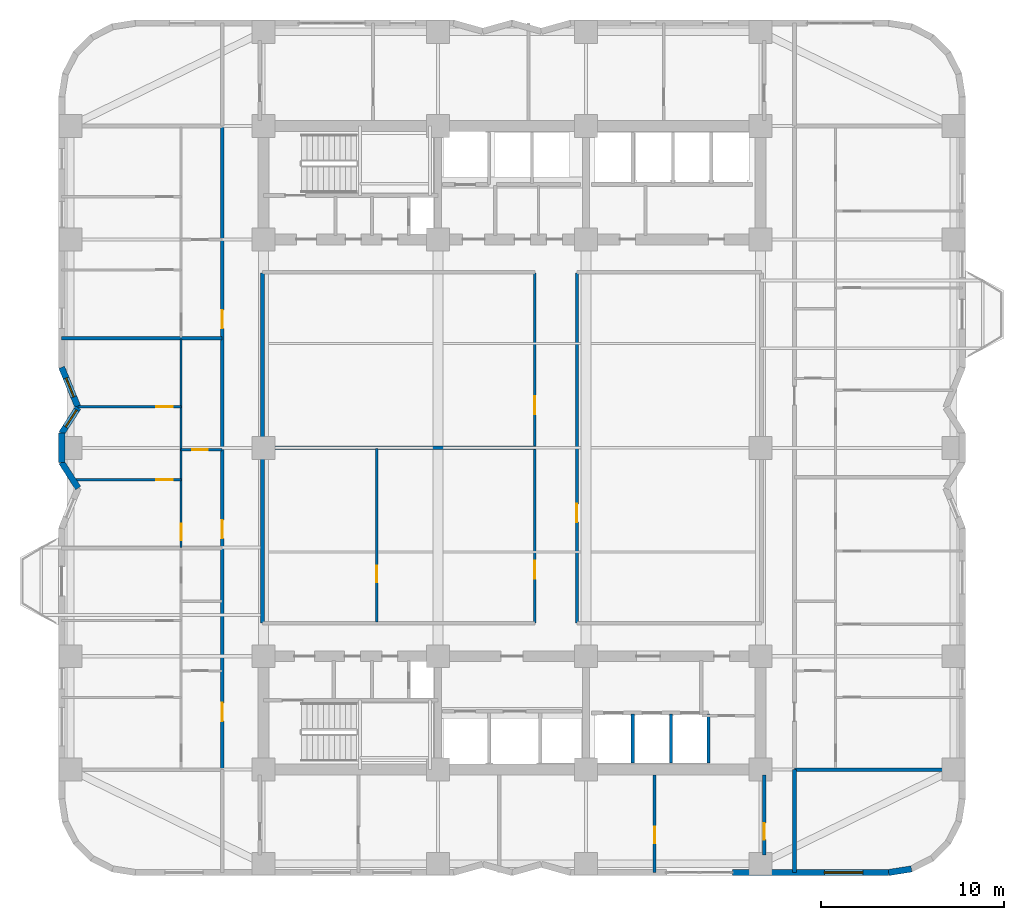
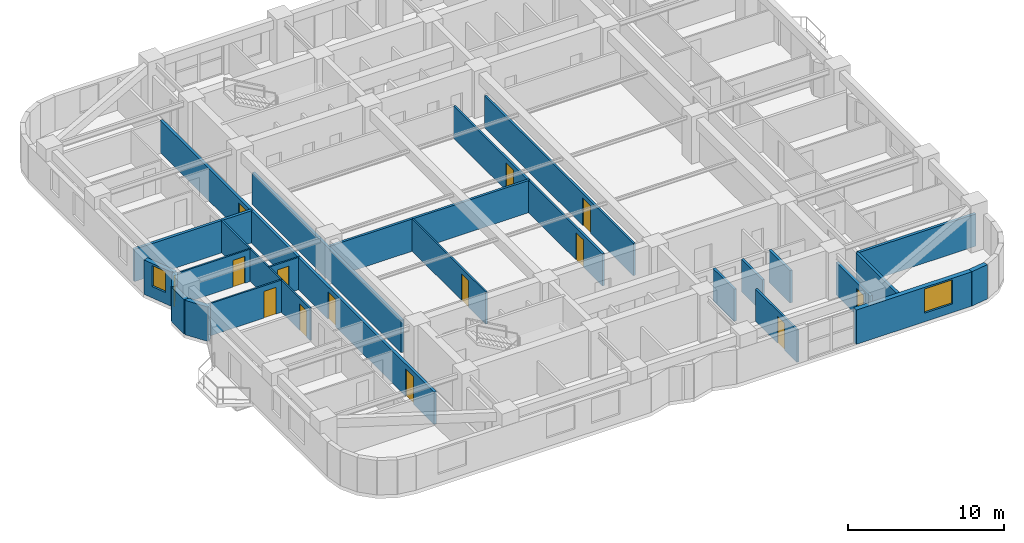
# One storey, part 7 of 13: 24 walls, 13 doors, 3 windows, 16 openings.
"""IFC4 building model written with IfcOpenShell, lengths in metres."""

from ifc_helpers import new_model, si_unit, direction, frame, frame_2d, origin, place, context, subcontext, project, spatial, rectangle, extrude, material, layer, layer_set, type_object, element, fill, save


model = new_model("IFC4")

# Units and contexts
model_context = context("Model", 3, precision=1e-05, world=origin(), true_north=direction((0.0, 1.0)))
body_context = subcontext(model_context, "Body", "Model", "MODEL_VIEW")
ifc_project = project(units=[si_unit("LENGTHUNIT", "METRE"), si_unit("AREAUNIT", "SQUARE_METRE"), si_unit("VOLUMEUNIT", "CUBIC_METRE"), si_unit("PLANEANGLEUNIT", "RADIAN"), si_unit("MASSUNIT", "GRAM", prefix="KILO")], contexts=[model_context])

# Site, building, storey
site_placement = place(None, origin())
site = spatial("IfcSite", under=ifc_project, at=site_placement, CompositionType="ELEMENT")
building_placement = place(site_placement, origin())
building = spatial("IfcBuilding", under=site, at=building_placement, Name="Svetorya Sky Lyceum", CompositionType="ELEMENT")
storey_placement = place(building_placement, frame((0.0, 0.0, 39.89990234375)))
storey = spatial("IfcBuildingStorey", under=building, at=storey_placement, Name="L09", CompositionType="ELEMENT", Elevation=39.89990234375)

# Wall, opening, window
ifc_material_1 = material(Name="Putilovo limestone rainscreen on autoclaved cellular masonry", Category="masonry")
ifc_layer_1 = layer(ifc_material_1, 0.340087890625)
ifc_layer_set_1 = layer_set([ifc_layer_1], Name="Putilovo limestone rainscreen on autoclaved cellular masonry")
wall_type_1 = type_object("IfcWallType", Name="WL-EXT-340", PredefinedType="SOLIDWALL", material=ifc_layer_set_1)
wall_1_placement = place(storey_placement, frame((51.25, 4.969970703125, 0.0), z_axis=(0.0, 0.0, 1.0), x_axis=(1.0, 0.0, 0.0)))
wall_1 = element("IfcWall", 1, at=wall_1_placement, inside=storey, type_object=wall_type_1, Name="L09 Limestone Exterior Wall 11B", PredefinedType="SOLIDWALL", context=body_context, shape_type="SweptSolid", body=[
    extrude(rectangle(XDim=8.550048828125, YDim=0.340087890625, at=frame_2d((4.27490234375, 0.0))), origin(), (0.0, 0.0, 1.0), 2.7001953125),
])
opening_1_placement = place(wall_1_placement, frame((5.03759765625, 0.0, 0.679931640625)))
opening_1 = element("IfcOpeningElement", 2, at=opening_1_placement, cuts=wall_1, Name="Opening W-R0", PredefinedType="OPENING", context=body_context, shape_type="SweptSolid", body=[
    extrude(rectangle(XDim=2.10009765625, YDim=1.89990234375, at=frame_2d((1.050048828125, 0.949951171875))), frame((0.0, 0.179931640625, 0.0), z_axis=(0.0, -1.0, 0.0), x_axis=(1.0, 0.0, 0.0)), (0.0, 0.0, 1.0), 0.360107421875),
])
ifc_material_2 = material(Name="Thermally broken aluminium frame with triple low-E glazing", Category="aluminium")
window_type_1 = type_object("IfcWindowType", Name="WN-RES-210", PartitioningType="TRIPLE_PANEL_VERTICAL", PredefinedType="WINDOW", material=ifc_material_2)
window_1_placement = place(opening_1_placement, origin())
window_1 = element("IfcWindow", 3, at=window_1_placement, inside=storey, type_object=window_type_1, Name="L09 Facade Window W-R0.11B.1", OverallHeight=1.89990234375, OverallWidth=2.10009765625, PartitioningType="SINGLE_PANEL", PredefinedType="WINDOW", context=body_context, shape_type="SweptSolid", body=[
    extrude(rectangle(XDim=2.10009765625, YDim=1.89990234375, at=frame_2d((1.050048828125, 0.949951171875))), frame((0.0, 0.030029296875, 0.0), z_axis=(0.0, -1.0, 0.0), x_axis=(1.0, 0.0, 0.0)), (0.0, 0.0, 1.0), 0.06005859375),
])
fill(opening_1, window_1)

# Wall
wall_2_placement = place(storey_placement, frame((59.800048828125, 4.969970703125, 0.0), z_axis=(0.0, 0.0, 1.0), x_axis=(0.987685918112, 0.15644975923, 0.0)))
element("IfcWall", 4, at=wall_2_placement, inside=storey, type_object=wall_type_1, Name="L09 Limestone Exterior Wall 12M", PredefinedType="SOLIDWALL", context=body_context, shape_type="SweptSolid", body=[
    extrude(rectangle(XDim=1.260986328125, YDim=0.340087890625, at=frame_2d((0.63037109375, 0.0))), origin(), (0.0, 0.0, 1.0), 2.7001953125),
])

# Wall, opening, window
wall_3_placement = place(storey_placement, frame((14.570068359375, 32.60009765625, 0.0), z_axis=(0.0, 0.0, 1.0), x_axis=(0.378568858991, -0.925573130013, 0.0)))
wall_3 = element("IfcWall", 5, at=wall_3_placement, inside=storey, type_object=wall_type_1, Name="L09 Limestone Exterior Wall 41M", PredefinedType="SOLIDWALL", context=body_context, shape_type="SweptSolid", body=[
    extrude(rectangle(XDim=2.377197265625, YDim=0.340087890625, at=frame_2d((1.1884765625, 0.0))), origin(), (0.0, 0.0, 1.0), 2.7001953125),
])
opening_2_placement = place(wall_3_placement, frame((0.638427734375, 0.0, 0.889892578125)))
opening_2 = element("IfcOpeningElement", 6, at=opening_2_placement, cuts=wall_3, Name="Opening W-R3", PredefinedType="OPENING", context=body_context, shape_type="SweptSolid", body=[
    extrude(rectangle(XDim=1.10009765625, YDim=1.64990234375, at=frame_2d((0.550048828125, 0.824951171875))), frame((0.0, 0.179931640625, 0.0), z_axis=(0.0, -1.0, 0.0), x_axis=(1.0, 0.0, 0.0)), (0.0, 0.0, 1.0), 0.360107421875),
])
window_type_2 = type_object("IfcWindowType", Name="WN-RES-110", PartitioningType="SINGLE_PANEL", PredefinedType="WINDOW", material=ifc_material_2)
window_2_placement = place(opening_2_placement, origin())
window_2 = element("IfcWindow", 7, at=window_2_placement, inside=storey, type_object=window_type_2, Name="L09 Facade Window W-R3.41M.1", OverallHeight=1.64990234375, OverallWidth=1.10009765625, PartitioningType="SINGLE_PANEL", PredefinedType="WINDOW", context=body_context, shape_type="SweptSolid", body=[
    extrude(rectangle(XDim=1.10009765625, YDim=1.64990234375, at=frame_2d((0.550048828125, 0.824951171875))), frame((0.0, 0.030029296875, 0.0), z_axis=(0.0, -1.0, 0.0), x_axis=(1.0, 0.0, 0.0)), (0.0, 0.0, 1.0), 0.06005859375),
])
fill(opening_2, window_2)

wall_4_placement = place(storey_placement, frame((15.469970703125, 30.39990234375, 0.0), z_axis=(0.0, 0.0, 1.0), x_axis=(-0.540742762169, -0.841188008214, 0.0)))
wall_4 = element("IfcWall", 8, at=wall_4_placement, inside=storey, type_object=wall_type_1, Name="L09 Limestone Exterior Wall 42M", PredefinedType="SOLIDWALL", context=body_context, shape_type="SweptSolid", body=[
    extrude(rectangle(XDim=1.664306640625, YDim=0.340087890625, at=frame_2d((0.83203125, 0.0))), origin(), (0.0, 0.0, 1.0), 2.7001953125),
])
opening_3_placement = place(wall_4_placement, frame((0.159912109375, 0.0, 0.889892578125)))
opening_3 = element("IfcOpeningElement", 9, at=opening_3_placement, cuts=wall_4, Name="Opening W-R3", PredefinedType="OPENING", context=body_context, shape_type="SweptSolid", body=[
    extrude(rectangle(XDim=1.10009765625, YDim=1.64990234375, at=frame_2d((0.550048828125, 0.824951171875))), frame((0.0, 0.179931640625, 0.0), z_axis=(0.0, -1.0, 0.0), x_axis=(1.0, 0.0, 0.0)), (0.0, 0.0, 1.0), 0.360107421875),
])
window_3_placement = place(opening_3_placement, origin())
window_3 = element("IfcWindow", 10, at=window_3_placement, inside=storey, type_object=window_type_2, Name="L09 Facade Window W-R3.42M.1", OverallHeight=1.64990234375, OverallWidth=1.10009765625, PartitioningType="SINGLE_PANEL", PredefinedType="WINDOW", context=body_context, shape_type="SweptSolid", body=[
    extrude(rectangle(XDim=1.10009765625, YDim=1.64990234375, at=frame_2d((0.550048828125, 0.824951171875))), frame((0.0, 0.030029296875, 0.0), z_axis=(0.0, -1.0, 0.0), x_axis=(1.0, 0.0, 0.0)), (0.0, 0.0, 1.0), 0.06005859375),
])
fill(opening_3, window_3)

# Walls
wall_5_placement = place(storey_placement, frame((14.570068359375, 29.0, 0.0), z_axis=(0.0, 0.0, 1.0), x_axis=(0.0, -1.0, 0.0)))
element("IfcWall", 11, at=wall_5_placement, inside=storey, type_object=wall_type_1, Name="L09 Limestone Exterior Wall 43M", PredefinedType="SOLIDWALL", context=body_context, shape_type="SweptSolid", body=[
    extrude(rectangle(XDim=1.60009765625, YDim=0.340087890625, at=frame_2d((0.800048828125, 0.0))), origin(), (0.0, 0.0, 1.0), 2.7001953125),
])
wall_6_placement = place(storey_placement, frame((14.570068359375, 27.39990234375, 0.0), z_axis=(0.0, 0.0, 1.0), x_axis=(0.540742762169, -0.841188008214, 0.0)))
element("IfcWall", 12, at=wall_6_placement, inside=storey, type_object=wall_type_1, Name="L09 Limestone Exterior Wall 44M", PredefinedType="SOLIDWALL", context=body_context, shape_type="SweptSolid", body=[
    extrude(rectangle(XDim=1.664306640625, YDim=0.340087890625, at=frame_2d((0.83203125, 0.0))), origin(), (0.0, 0.0, 1.0), 2.7001953125),
])

# Wall, opening, door
ifc_material_3 = material(Name="Twin-stud galvanized framing with double fireboard", Category="gypsum")
ifc_layer_2 = layer(ifc_material_3, 0.1201171875)
ifc_layer_set_2 = layer_set([ifc_layer_2], Name="Twin-stud galvanized framing with double fireboard")
wall_type_2 = type_object("IfcWallType", Name="WL-PART-120", PredefinedType="PARTITIONING", material=ifc_layer_set_2)
wall_7_placement = place(storey_placement, frame((31.800048828125, 18.659912109375, 0.0), z_axis=(0.0, 0.0, 1.0), x_axis=(0.0, 1.0, 0.0)))
wall_7 = element("IfcWall", 13, at=wall_7_placement, inside=storey, type_object=wall_type_2, Name="L09 Interior Partition CEN-WV1", PredefinedType="PARTITIONING", context=body_context, shape_type="SweptSolid", body=[
    extrude(rectangle(XDim=9.489990234375, YDim=0.1201171875, at=frame_2d((4.7451171875, 0.0))), origin(), (0.0, 0.0, 1.0), 2.530029296875),
])
opening_4_placement = place(wall_7_placement, frame((2.199951171875, 0.0, 0.0)))
opening_4 = element("IfcOpeningElement", 14, at=opening_4_placement, cuts=wall_7, Name="Opening D-RM1", PredefinedType="OPENING", context=body_context, shape_type="SweptSolid", body=[
    extrude(rectangle(XDim=0.89990234375, YDim=2.10009765625, at=frame_2d((0.449951171875, 1.050048828125))), frame((0.0, 0.070068359375, 0.0), z_axis=(0.0, -1.0, 0.0), x_axis=(1.0, 0.0, 0.0)), (0.0, 0.0, 1.0), 0.14013671875),
])
ifc_material_4 = material(Name="Lacquered birch veneer internal door")
door_type_1 = type_object("IfcDoorType", Name="DR-INT-900", OperationType="SINGLE_SWING_LEFT", PredefinedType="DOOR", material=ifc_material_4)
door_1_placement = place(opening_4_placement, origin())
door_1 = element("IfcDoor", 15, at=door_1_placement, inside=storey, type_object=door_type_1, Name="L09 Quiet Study Door", OperationType="SINGLE_SWING_LEFT", OverallHeight=2.10009765625, OverallWidth=0.89990234375, PredefinedType="DOOR", context=body_context, shape_type="SweptSolid", body=[
    extrude(rectangle(XDim=0.89990234375, YDim=2.10009765625, at=frame_2d((0.449951171875, 1.050048828125))), frame((0.0, 0.02490234375, 0.0), z_axis=(0.0, -1.0, 0.0), x_axis=(1.0, 0.0, 0.0)), (0.0, 0.0, 1.0), 0.050048828125),
])
fill(opening_4, door_1)

wall_8_placement = place(storey_placement, frame((21.10009765625, 28.10009765625, 0.0), z_axis=(0.0, 0.0, 1.0), x_axis=(1.0, 0.0, 0.0)))
wall_8 = element("IfcWall", 16, at=wall_8_placement, inside=storey, type_object=wall_type_2, Name="L09 Interior Partition W2-WH1", PredefinedType="PARTITIONING", context=body_context, shape_type="SweptSolid", body=[
    extrude(rectangle(XDim=2.25, YDim=0.1201171875, at=frame_2d((1.125, 0.0))), origin(), (0.0, 0.0, 1.0), 2.530029296875),
])
opening_5_placement = place(wall_8_placement, frame((0.60009765625, 0.0, 0.0)))
opening_5 = element("IfcOpeningElement", 17, at=opening_5_placement, cuts=wall_8, Name="Opening D-BT1", PredefinedType="OPENING", context=body_context, shape_type="SweptSolid", body=[
    extrude(rectangle(XDim=0.85009765625, YDim=2.10009765625, at=frame_2d((0.425048828125, 1.050048828125))), frame((0.0, 0.070068359375, 0.0), z_axis=(0.0, -1.0, 0.0), x_axis=(1.0, 0.0, 0.0)), (0.0, 0.0, 1.0), 0.14013671875),
])
ifc_material_5 = material(Name="Moisture-resistant laminate bathroom door")
door_type_2 = type_object("IfcDoorType", Name="DR-WET-850", OperationType="SINGLE_SWING_LEFT", PredefinedType="DOOR", material=ifc_material_5)
door_2_placement = place(opening_5_placement, origin())
door_2 = element("IfcDoor", 18, at=door_2_placement, inside=storey, type_object=door_type_2, Name="Apartment W2 Bathroom Door", OperationType="SINGLE_SWING_RIGHT", OverallHeight=2.10009765625, OverallWidth=0.85009765625, PredefinedType="DOOR", context=body_context, shape_type="SweptSolid", body=[
    extrude(rectangle(XDim=0.85009765625, YDim=2.10009765625, at=frame_2d((0.425048828125, 1.050048828125))), frame((0.0, 0.02490234375, 0.0), z_axis=(0.0, -1.0, 0.0), x_axis=(1.0, 0.0, 0.0)), (0.0, 0.0, 1.0), 0.050048828125),
])
fill(opening_5, door_2)

wall_9_placement = place(storey_placement, frame((15.1806640625, 26.449951171875, 0.0), z_axis=(0.0, 0.0, 1.0), x_axis=(1.0, 0.0, 0.0)))
wall_9 = element("IfcWall", 19, at=wall_9_placement, inside=storey, type_object=wall_type_2, Name="L09 Interior Partition W2-WL1", PredefinedType="PARTITIONING", context=body_context, shape_type="SweptSolid", body=[
    extrude(rectangle(XDim=5.91943359375, YDim=0.1201171875, at=frame_2d((2.959716796875, 0.0))), origin(), (0.0, 0.0, 1.0), 2.530029296875),
])
opening_6_placement = place(wall_9_placement, frame((4.5693359375, 0.0, 0.0)))
opening_6 = element("IfcOpeningElement", 20, at=opening_6_placement, cuts=wall_9, Name="Opening D-RM1", PredefinedType="OPENING", context=body_context, shape_type="SweptSolid", body=[
    extrude(rectangle(XDim=0.89990234375, YDim=2.10009765625, at=frame_2d((0.449951171875, 1.050048828125))), frame((0.0, 0.070068359375, 0.0), z_axis=(0.0, -1.0, 0.0), x_axis=(1.0, 0.0, 0.0)), (0.0, 0.0, 1.0), 0.14013671875),
])
door_3_placement = place(opening_6_placement, origin())
door_3 = element("IfcDoor", 21, at=door_3_placement, inside=storey, type_object=door_type_1, Name="Apartment W2 Master Bedroom Door", OperationType="SINGLE_SWING_RIGHT", OverallHeight=2.10009765625, OverallWidth=0.89990234375, PredefinedType="DOOR", context=body_context, shape_type="SweptSolid", body=[
    extrude(rectangle(XDim=0.89990234375, YDim=2.10009765625, at=frame_2d((0.449951171875, 1.050048828125))), frame((0.0, 0.02490234375, 0.0), z_axis=(0.0, -1.0, 0.0), x_axis=(1.0, 0.0, 0.0)), (0.0, 0.0, 1.0), 0.050048828125),
])
fill(opening_6, door_3)

wall_10_placement = place(storey_placement, frame((15.449462890625, 30.449951171875, 0.0), z_axis=(0.0, 0.0, 1.0), x_axis=(1.0, 0.0, 0.0)))
wall_10 = element("IfcWall", 22, at=wall_10_placement, inside=storey, type_object=wall_type_2, Name="L09 Interior Partition W2-WL2", PredefinedType="PARTITIONING", context=body_context, shape_type="SweptSolid", body=[
    extrude(rectangle(XDim=5.650634765625, YDim=0.1201171875, at=frame_2d((2.8251953125, 0.0))), origin(), (0.0, 0.0, 1.0), 2.530029296875),
])
opening_7_placement = place(wall_10_placement, frame((4.300537109375, 0.0, 0.0)))
opening_7 = element("IfcOpeningElement", 23, at=opening_7_placement, cuts=wall_10, Name="Opening D-RM1", PredefinedType="OPENING", context=body_context, shape_type="SweptSolid", body=[
    extrude(rectangle(XDim=0.89990234375, YDim=2.10009765625, at=frame_2d((0.449951171875, 1.050048828125))), frame((0.0, 0.070068359375, 0.0), z_axis=(0.0, -1.0, 0.0), x_axis=(1.0, 0.0, 0.0)), (0.0, 0.0, 1.0), 0.14013671875),
])
door_4_placement = place(opening_7_placement, origin())
door_4 = element("IfcDoor", 24, at=door_4_placement, inside=storey, type_object=door_type_1, Name="Apartment W2 Bedroom 2 Door", OperationType="SINGLE_SWING_LEFT", OverallHeight=2.10009765625, OverallWidth=0.89990234375, PredefinedType="DOOR", context=body_context, shape_type="SweptSolid", body=[
    extrude(rectangle(XDim=0.89990234375, YDim=2.10009765625, at=frame_2d((0.449951171875, 1.050048828125))), frame((0.0, 0.02490234375, 0.0), z_axis=(0.0, -1.0, 0.0), x_axis=(1.0, 0.0, 0.0)), (0.0, 0.0, 1.0), 0.050048828125),
])
fill(opening_7, door_4)

wall_11_placement = place(storey_placement, frame((21.10009765625, 22.739990234375, 0.0), z_axis=(0.0, 0.0, 1.0), x_axis=(0.0, 1.0, 0.0)))
wall_11 = element("IfcWall", 25, at=wall_11_placement, inside=storey, type_object=wall_type_2, Name="L09 Interior Partition W2-WV", PredefinedType="PARTITIONING", context=body_context, shape_type="SweptSolid", body=[
    extrude(rectangle(XDim=11.404052734375, YDim=0.1201171875, at=frame_2d((5.7021484375, 0.0))), origin(), (0.0, 0.0, 1.0), 2.530029296875),
])
opening_8_placement = place(wall_11_placement, frame((0.409912109375, 0.0, 0.0)))
opening_8 = element("IfcOpeningElement", 26, at=opening_8_placement, cuts=wall_11, Name="Opening D-RM1", PredefinedType="OPENING", context=body_context, shape_type="SweptSolid", body=[
    extrude(rectangle(XDim=0.89990234375, YDim=2.10009765625, at=frame_2d((0.449951171875, 1.050048828125))), frame((0.0, 0.070068359375, 0.0), z_axis=(0.0, -1.0, 0.0), x_axis=(1.0, 0.0, 0.0)), (0.0, 0.0, 1.0), 0.14013671875),
])
door_5_placement = place(opening_8_placement, origin())
door_5 = element("IfcDoor", 27, at=door_5_placement, inside=storey, type_object=door_type_1, Name="Apartment W2 Living Door", OperationType="SINGLE_SWING_LEFT", OverallHeight=2.10009765625, OverallWidth=0.89990234375, PredefinedType="DOOR", context=body_context, shape_type="SweptSolid", body=[
    extrude(rectangle(XDim=0.89990234375, YDim=2.10009765625, at=frame_2d((0.449951171875, 1.050048828125))), frame((0.0, 0.02490234375, 0.0), z_axis=(0.0, -1.0, 0.0), x_axis=(1.0, 0.0, 0.0)), (0.0, 0.0, 1.0), 0.050048828125),
])
fill(opening_8, door_5)

# Wall, openings, doors
ifc_material_6 = material(Name="Autoclaved cellular masonry blockwork with acoustic render", Category="masonry")
ifc_layer_3 = layer(ifc_material_6, 0.14990234375)
ifc_layer_set_3 = layer_set([ifc_layer_3], Name="Autoclaved cellular masonry blockwork with acoustic render")
wall_type_3 = type_object("IfcWallType", Name="WL-PART-150", PredefinedType="PARTITIONING", material=ifc_layer_set_3)
wall_12_placement = place(storey_placement, frame((40.449951171875, 18.6298828125, 0.0), z_axis=(0.0, 0.0, 1.0), x_axis=(0.0, 1.0, 0.0)))
wall_12 = element("IfcWall", 28, at=wall_12_placement, inside=storey, type_object=wall_type_3, Name="L09 Interior Partition CEN-VW", PredefinedType="PARTITIONING", context=body_context, shape_type="SweptSolid", body=[
    extrude(rectangle(XDim=19.14013671875, YDim=0.14990234375, at=frame_2d((9.570068359375, 0.0))), origin(), (0.0, 0.0, 1.0), 2.530029296875),
])
opening_9_placement = place(wall_12_placement, frame((2.39990234375, 0.0, 0.0)))
opening_9 = element("IfcOpeningElement", 29, at=opening_9_placement, cuts=wall_12, Name="Opening D-RM2", PredefinedType="OPENING", context=body_context, shape_type="SweptSolid", body=[
    extrude(rectangle(XDim=1.0, YDim=2.14990234375, at=frame_2d((0.5, 1.074951171875))), frame((0.0, 0.0849609375, 0.0), z_axis=(0.0, -1.0, 0.0), x_axis=(1.0, 0.0, 0.0)), (0.0, 0.0, 1.0), 0.169921875),
])
opening_10_placement = place(wall_12_placement, frame((11.39990234375, 0.0, 0.0)))
opening_10 = element("IfcOpeningElement", 30, at=opening_10_placement, cuts=wall_12, Name="Opening D-RM2", PredefinedType="OPENING", context=body_context, shape_type="SweptSolid", body=[
    extrude(rectangle(XDim=1.0, YDim=2.14990234375, at=frame_2d((0.5, 1.074951171875))), frame((0.0, 0.0849609375, 0.0), z_axis=(0.0, -1.0, 0.0), x_axis=(1.0, 0.0, 0.0)), (0.0, 0.0, 1.0), 0.169921875),
])
ifc_material_7 = material(Name="Solid-core oak acoustic room door")
door_type_3 = type_object("IfcDoorType", Name="DR-INT-1000", OperationType="SINGLE_SWING_LEFT", PredefinedType="DOOR", material=ifc_material_7)
door_6_placement = place(opening_9_placement, origin())
door_6 = element("IfcDoor", 31, at=door_6_placement, inside=storey, type_object=door_type_3, Name="L09 Study Door", OperationType="SINGLE_SWING_LEFT", OverallHeight=2.14990234375, OverallWidth=1.0, PredefinedType="DOOR", context=body_context, shape_type="SweptSolid", body=[
    extrude(rectangle(XDim=1.0, YDim=2.14990234375, at=frame_2d((0.5, 1.074951171875))), frame((0.0, 0.02490234375, 0.0), z_axis=(0.0, -1.0, 0.0), x_axis=(1.0, 0.0, 0.0)), (0.0, 0.0, 1.0), 0.050048828125),
])
fill(opening_9, door_6)
door_7_placement = place(opening_10_placement, origin())
door_7 = element("IfcDoor", 32, at=door_7_placement, inside=storey, type_object=door_type_3, Name="L09 Focus Door", OperationType="SINGLE_SWING_RIGHT", OverallHeight=2.14990234375, OverallWidth=1.0, PredefinedType="DOOR", context=body_context, shape_type="SweptSolid", body=[
    extrude(rectangle(XDim=1.0, YDim=2.14990234375, at=frame_2d((0.5, 1.074951171875))), frame((0.0, 0.02490234375, 0.0), z_axis=(0.0, -1.0, 0.0), x_axis=(1.0, 0.0, 0.0)), (0.0, 0.0, 1.0), 0.050048828125),
])
fill(opening_10, door_7)

# Wall, opening, door
wall_13_placement = place(storey_placement, frame((42.75, 18.6298828125, 0.0), z_axis=(0.0, 0.0, 1.0), x_axis=(0.0, 1.0, 0.0)))
wall_13 = element("IfcWall", 33, at=wall_13_placement, inside=storey, type_object=wall_type_3, Name="L09 Interior Partition CEN-VE", PredefinedType="PARTITIONING", context=body_context, shape_type="SweptSolid", body=[
    extrude(rectangle(XDim=19.14013671875, YDim=0.14990234375, at=frame_2d((9.570068359375, 0.0))), origin(), (0.0, 0.0, 1.0), 2.530029296875),
])
opening_11_placement = place(wall_13_placement, frame((5.5, 0.0, 0.0)))
opening_11 = element("IfcOpeningElement", 34, at=opening_11_placement, cuts=wall_13, Name="Opening D-RM2", PredefinedType="OPENING", context=body_context, shape_type="SweptSolid", body=[
    extrude(rectangle(XDim=1.0, YDim=2.14990234375, at=frame_2d((0.5, 1.074951171875))), frame((0.0, 0.0849609375, 0.0), z_axis=(0.0, -1.0, 0.0), x_axis=(1.0, 0.0, 0.0)), (0.0, 0.0, 1.0), 0.169921875),
])
door_8_placement = place(opening_11_placement, origin())
door_8 = element("IfcDoor", 35, at=door_8_placement, inside=storey, type_object=door_type_3, Name="L09 East Hall Door", OperationType="SINGLE_SWING_RIGHT", OverallHeight=2.14990234375, OverallWidth=1.0, PredefinedType="DOOR", context=body_context, shape_type="SweptSolid", body=[
    extrude(rectangle(XDim=1.0, YDim=2.14990234375, at=frame_2d((0.5, 1.074951171875))), frame((0.0, 0.02490234375, 0.0), z_axis=(0.0, -1.0, 0.0), x_axis=(1.0, 0.0, 0.0)), (0.0, 0.0, 1.0), 0.050048828125),
])
fill(opening_11, door_8)

wall_14_placement = place(storey_placement, frame((47.0, 4.969970703125, 0.0), z_axis=(0.0, 0.0, 1.0), x_axis=(0.0, 1.0, 0.0)))
wall_14 = element("IfcWall", 36, at=wall_14_placement, inside=storey, type_object=wall_type_3, Name="L09 Interior Partition S4-D3", PredefinedType="PARTITIONING", context=body_context, shape_type="SweptSolid", body=[
    extrude(rectangle(XDim=5.330078125, YDim=0.14990234375, at=frame_2d((2.6650390625, 0.0))), origin(), (0.0, 0.0, 1.0), 2.530029296875),
])
opening_12_placement = place(wall_14_placement, frame((1.60009765625, 0.0, 0.0)))
opening_12 = element("IfcOpeningElement", 37, at=opening_12_placement, cuts=wall_14, Name="Opening D-RM1", PredefinedType="OPENING", context=body_context, shape_type="SweptSolid", body=[
    extrude(rectangle(XDim=0.89990234375, YDim=2.10009765625, at=frame_2d((0.449951171875, 1.050048828125))), frame((0.0, 0.0849609375, 0.0), z_axis=(0.0, -1.0, 0.0), x_axis=(1.0, 0.0, 0.0)), (0.0, 0.0, 1.0), 0.169921875),
])
door_9_placement = place(opening_12_placement, origin())
door_9 = element("IfcDoor", 38, at=door_9_placement, inside=storey, type_object=door_type_1, Name="L09 South Suite Door 3", OperationType="SINGLE_SWING_LEFT", OverallHeight=2.10009765625, OverallWidth=0.89990234375, PredefinedType="DOOR", context=body_context, shape_type="SweptSolid", body=[
    extrude(rectangle(XDim=0.89990234375, YDim=2.10009765625, at=frame_2d((0.449951171875, 1.050048828125))), frame((0.0, 0.02490234375, 0.0), z_axis=(0.0, -1.0, 0.0), x_axis=(1.0, 0.0, 0.0)), (0.0, 0.0, 1.0), 0.050048828125),
])
fill(opening_12, door_9)

# Walls
ifc_material_8 = material(Name="Autoclaved cellular masonry blockwork with fire render", Category="masonry")
ifc_layer_4 = layer(ifc_material_8, 0.175048828125)
ifc_layer_set_4 = layer_set([ifc_layer_4], Name="Autoclaved cellular masonry blockwork with fire render")
wall_type_4 = type_object("IfcWallType", Name="WL-PART-175", PredefinedType="PARTITIONING", material=ifc_layer_set_4)
for number, where, z_axis, x_axis, name in (
    (39, (45.800048828125, 10.949951171875, 0.0), (0.0, 0.0, 1.0), (0.0, 1.0, 0.0), "L09 Interior Partition SC-PL-DIV1"),
    (40, (47.89990234375, 10.949951171875, 0.0), (0.0, 0.0, 1.0), (0.0, 1.0, 0.0), "L09 Interior Partition SC-PL-DIV2"),
    (41, (49.949951171875, 10.949951171875, 0.0), (0.0, 0.0, 1.0), (0.0, 1.0, 0.0), "L09 Interior Partition SC-PL-END"),
):
    element("IfcWall", number, at=place(storey_placement, frame(where, z_axis=z_axis, x_axis=x_axis)), inside=storey, type_object=wall_type_4, Name=name, PredefinedType="PARTITIONING", context=body_context, shape_type="SweptSolid", body=[
        extrude(rectangle(XDim=2.699951171875, YDim=0.175048828125, at=frame_2d((1.35009765625, 0.0))), origin(), (0.0, 0.0, 1.0), 2.530029296875),
    ])
wall_15_placement = place(storey_placement, frame((25.60009765625, 28.199951171875, 0.0), z_axis=(0.0, 0.0, 1.0), x_axis=(1.0, 0.0, 0.0)))
element("IfcWall", 42, at=wall_15_placement, inside=storey, type_object=wall_type_4, Name="L09 Interior Partition CEN-HW", PredefinedType="PARTITIONING", context=body_context, shape_type="SweptSolid", body=[
    extrude(rectangle(XDim=14.869873046875, YDim=0.175048828125, at=frame_2d((7.43505859375, 0.0))), origin(), (0.0, 0.0, 1.0), 2.530029296875),
])
ifc_material_9 = material(Name="Autoclaved cellular masonry blockwork with gypsum plaster", Category="masonry")
ifc_layer_5 = layer(ifc_material_9, 0.199951171875)
ifc_layer_set_5 = layer_set([ifc_layer_5], Name="Autoclaved cellular masonry blockwork with gypsum plaster")
wall_type_5 = type_object("IfcWallType", Name="WL-PART-200", PredefinedType="PARTITIONING", material=ifc_layer_set_5)
wall_16_placement = place(storey_placement, frame((25.550048828125, 18.6298828125, 0.0), z_axis=(0.0, 0.0, 1.0), x_axis=(0.0, 1.0, 0.0)))
element("IfcWall", 43, at=wall_16_placement, inside=storey, type_object=wall_type_5, Name="L09 Interior Partition W-CEN-SEP", PredefinedType="PARTITIONING", context=body_context, shape_type="SweptSolid", body=[
    extrude(rectangle(XDim=19.14013671875, YDim=0.199951171875, at=frame_2d((9.570068359375, 0.0))), origin(), (0.0, 0.0, 1.0), 2.530029296875),
])
wall_17_placement = place(storey_placement, frame((14.570068359375, 34.18408203125, 0.0), z_axis=(0.0, 0.0, 1.0), x_axis=(1.0, 0.0, 0.0)))
element("IfcWall", 44, at=wall_17_placement, inside=storey, type_object=wall_type_5, Name="L09 Interior Partition W-PARTY-2", PredefinedType="PARTITIONING", context=body_context, shape_type="SweptSolid", body=[
    extrude(rectangle(XDim=8.780029296875, YDim=0.199951171875, at=frame_2d((4.39013671875, 0.0))), origin(), (0.0, 0.0, 1.0), 2.530029296875),
])

# Wall, openings, doors
wall_18_placement = place(storey_placement, frame((23.35009765625, 10.60009765625, 0.0), z_axis=(0.0, 0.0, 1.0), x_axis=(0.0, 1.0, 0.0)))
wall_18 = element("IfcWall", 45, at=wall_18_placement, inside=storey, type_object=wall_type_5, Name="L09 Interior Partition W-CORRW", PredefinedType="PARTITIONING", context=body_context, shape_type="SweptSolid", body=[
    extrude(rectangle(XDim=35.199951171875, YDim=0.199951171875, at=frame_2d((17.60009765625, 0.0))), origin(), (0.0, 0.0, 1.0), 2.530029296875),
])
opening_13_placement = place(wall_18_placement, frame((2.64990234375, 0.0, 0.0)))
opening_13 = element("IfcOpeningElement", 46, at=opening_13_placement, cuts=wall_18, Name="Opening D-APT1", PredefinedType="OPENING", context=body_context, shape_type="SweptSolid", body=[
    extrude(rectangle(XDim=1.0, YDim=2.14990234375, at=frame_2d((0.5, 1.074951171875))), frame((0.0, 0.10986328125, 0.0), z_axis=(0.0, -1.0, 0.0), x_axis=(1.0, 0.0, 0.0)), (0.0, 0.0, 1.0), 0.219970703125),
])
opening_14_placement = place(wall_18_placement, frame((12.64990234375, 0.0, 0.0)))
opening_14 = element("IfcOpeningElement", 47, at=opening_14_placement, cuts=wall_18, Name="Opening D-APT1", PredefinedType="OPENING", context=body_context, shape_type="SweptSolid", body=[
    extrude(rectangle(XDim=1.0, YDim=2.14990234375, at=frame_2d((0.5, 1.074951171875))), frame((0.0, 0.10986328125, 0.0), z_axis=(0.0, -1.0, 0.0), x_axis=(1.0, 0.0, 0.0)), (0.0, 0.0, 1.0), 0.219970703125),
])
opening_15_placement = place(wall_18_placement, frame((24.134033203125, 0.0, 0.0)))
opening_15 = element("IfcOpeningElement", 48, at=opening_15_placement, cuts=wall_18, Name="Opening D-APT1", PredefinedType="OPENING", context=body_context, shape_type="SweptSolid", body=[
    extrude(rectangle(XDim=1.0, YDim=2.14990234375, at=frame_2d((0.5, 1.074951171875))), frame((0.0, 0.10986328125, 0.0), z_axis=(0.0, -1.0, 0.0), x_axis=(1.0, 0.0, 0.0)), (0.0, 0.0, 1.0), 0.219970703125),
])
ifc_material_10 = material(Name="Insulated oak-veneered apartment entrance door")
door_type_4 = type_object("IfcDoorType", Name="DR-APT-1000", OperationType="SINGLE_SWING_LEFT", PredefinedType="DOOR", material=ifc_material_10)
door_10_placement = place(opening_13_placement, origin())
door_10 = element("IfcDoor", 49, at=door_10_placement, inside=storey, type_object=door_type_4, Name="L09 Apartment W1 Entrance Door", OperationType="SINGLE_SWING_LEFT", OverallHeight=2.14990234375, OverallWidth=1.0, PredefinedType="DOOR", context=body_context, shape_type="SweptSolid", body=[
    extrude(rectangle(XDim=1.0, YDim=2.14990234375, at=frame_2d((0.5, 1.074951171875))), frame((0.0, 0.02490234375, 0.0), z_axis=(0.0, -1.0, 0.0), x_axis=(1.0, 0.0, 0.0)), (0.0, 0.0, 1.0), 0.050048828125),
])
fill(opening_13, door_10)
door_11_placement = place(opening_14_placement, origin())
door_11 = element("IfcDoor", 50, at=door_11_placement, inside=storey, type_object=door_type_4, Name="L09 Apartment W2 Entrance Door", OperationType="SINGLE_SWING_RIGHT", OverallHeight=2.14990234375, OverallWidth=1.0, PredefinedType="DOOR", context=body_context, shape_type="SweptSolid", body=[
    extrude(rectangle(XDim=1.0, YDim=2.14990234375, at=frame_2d((0.5, 1.074951171875))), frame((0.0, 0.02490234375, 0.0), z_axis=(0.0, -1.0, 0.0), x_axis=(1.0, 0.0, 0.0)), (0.0, 0.0, 1.0), 0.050048828125),
])
fill(opening_14, door_11)
door_12_placement = place(opening_15_placement, origin())
door_12 = element("IfcDoor", 51, at=door_12_placement, inside=storey, type_object=door_type_4, Name="L09 Apartment W3 Entrance Door", OperationType="SINGLE_SWING_LEFT", OverallHeight=2.14990234375, OverallWidth=1.0, PredefinedType="DOOR", context=body_context, shape_type="SweptSolid", body=[
    extrude(rectangle(XDim=1.0, YDim=2.14990234375, at=frame_2d((0.5, 1.074951171875))), frame((0.0, 0.02490234375, 0.0), z_axis=(0.0, -1.0, 0.0), x_axis=(1.0, 0.0, 0.0)), (0.0, 0.0, 1.0), 0.050048828125),
])
fill(opening_15, door_12)

# Walls
wall_19_placement = place(storey_placement, frame((54.64990234375, 10.60009765625, 0.0), z_axis=(0.0, 0.0, 1.0), x_axis=(1.0, 0.0, 0.0)))
element("IfcWall", 52, at=wall_19_placement, inside=storey, type_object=wall_type_5, Name="L09 Interior Partition E-CAP-S", PredefinedType="PARTITIONING", context=body_context, shape_type="SweptSolid", body=[
    extrude(rectangle(XDim=8.760009765625, YDim=0.199951171875, at=frame_2d((4.3798828125, 0.0))), origin(), (0.0, 0.0, 1.0), 2.530029296875),
])
wall_20_placement = place(storey_placement, frame((54.64990234375, 4.969970703125, 0.0), z_axis=(0.0, 0.0, 1.0), x_axis=(0.0, 1.0, 0.0)))
element("IfcWall", 53, at=wall_20_placement, inside=storey, type_object=wall_type_5, Name="L09 Interior Partition EC-SE-END", PredefinedType="PARTITIONING", context=body_context, shape_type="SweptSolid", body=[
    extrude(rectangle(XDim=5.630126953125, YDim=0.199951171875, at=frame_2d((2.81494140625, 0.0))), origin(), (0.0, 0.0, 1.0), 2.530029296875),
])

# Wall, opening, door
wall_21_placement = place(storey_placement, frame((53.0, 5.919921875, 0.0), z_axis=(0.0, 0.0, 1.0), x_axis=(0.0, 1.0, 0.0)))
wall_21 = element("IfcWall", 54, at=wall_21_placement, inside=storey, type_object=wall_type_5, Name="L09 Interior Partition S4-EE", PredefinedType="PARTITIONING", context=body_context, shape_type="SweptSolid", body=[
    extrude(rectangle(XDim=4.380126953125, YDim=0.199951171875, at=frame_2d((2.18994140625, 0.0))), origin(), (0.0, 0.0, 1.0), 2.530029296875),
])
opening_16_placement = place(wall_21_placement, frame((0.85009765625, 0.0, 0.0)))
opening_16 = element("IfcOpeningElement", 55, at=opening_16_placement, cuts=wall_21, Name="Opening D-RM1", PredefinedType="OPENING", context=body_context, shape_type="SweptSolid", body=[
    extrude(rectangle(XDim=0.89990234375, YDim=2.10009765625, at=frame_2d((0.449951171875, 1.050048828125))), frame((0.0, 0.10986328125, 0.0), z_axis=(0.0, -1.0, 0.0), x_axis=(1.0, 0.0, 0.0)), (0.0, 0.0, 1.0), 0.219970703125),
])
door_13_placement = place(opening_16_placement, origin())
door_13 = element("IfcDoor", 56, at=door_13_placement, inside=storey, type_object=door_type_1, Name="L09 SE Meeting Door", OperationType="SINGLE_SWING_RIGHT", OverallHeight=2.10009765625, OverallWidth=0.89990234375, PredefinedType="DOOR", context=body_context, shape_type="SweptSolid", body=[
    extrude(rectangle(XDim=0.89990234375, YDim=2.10009765625, at=frame_2d((0.449951171875, 1.050048828125))), frame((0.0, 0.02490234375, 0.0), z_axis=(0.0, -1.0, 0.0), x_axis=(1.0, 0.0, 0.0)), (0.0, 0.0, 1.0), 0.050048828125),
])
fill(opening_16, door_13)

save(model, "model.ifc")
